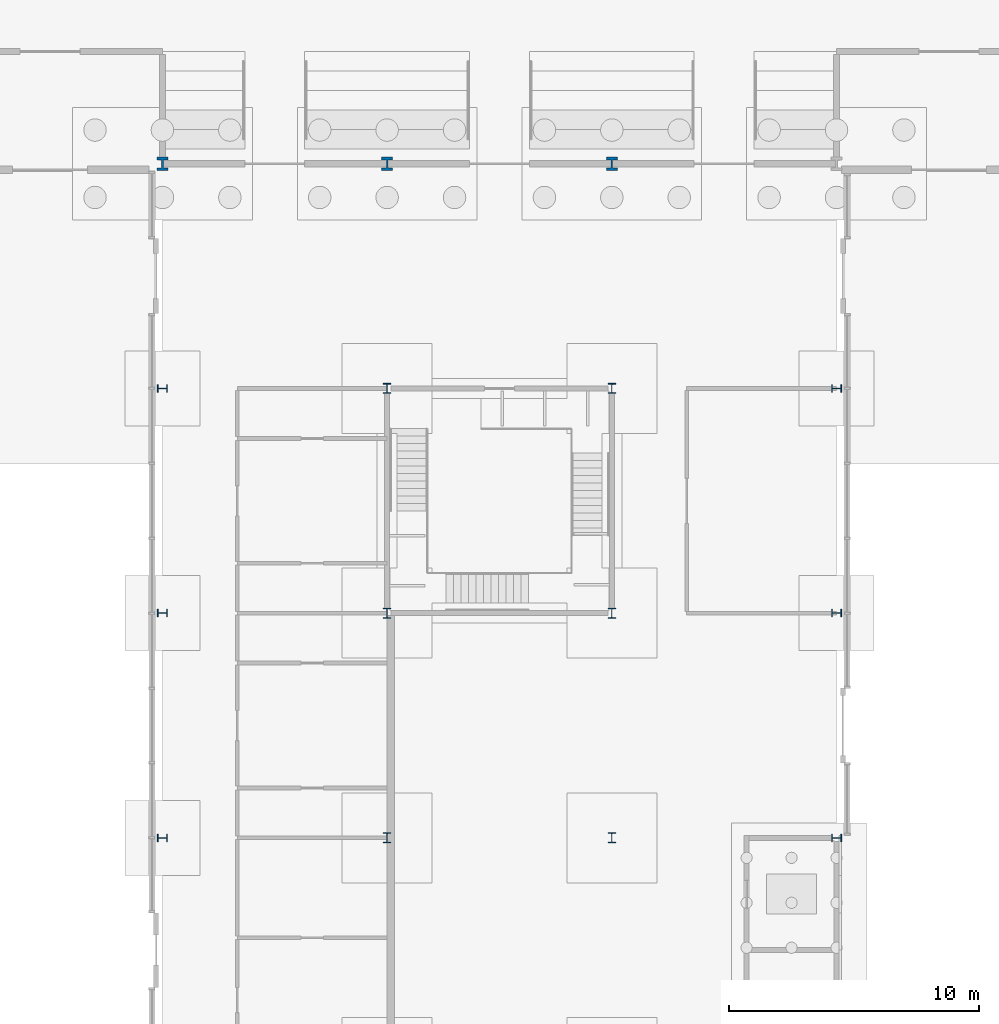
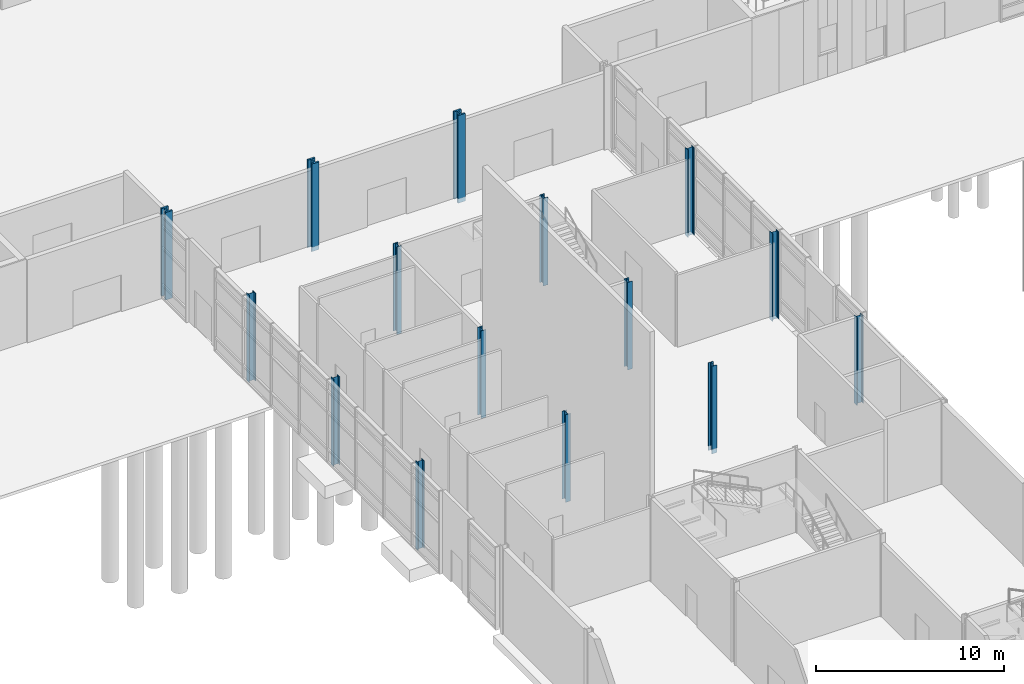
# One storey, part 7 of 45: 15 columns.
"""IFC4 building model written with IfcOpenShell, lengths in metres."""

from ifc_helpers import new_model, si_unit, direction, frame, origin, origin_2d, place, context, subcontext, project, spatial, i_section, extrude, material, material_profile, profile_set, type_object, element, save


model = new_model("IFC4")

# Units and contexts
model_context = context("Model", 3, precision=1e-05, world=origin(), true_north=direction((0.0, 1.0)))
body_context = subcontext(model_context, "Body", "Model", "MODEL_VIEW")
ifc_project = project(units=[si_unit("LENGTHUNIT", "METRE"), si_unit("AREAUNIT", "SQUARE_METRE"), si_unit("VOLUMEUNIT", "CUBIC_METRE"), si_unit("PLANEANGLEUNIT", "RADIAN"), si_unit("MASSUNIT", "GRAM", prefix="KILO")], contexts=[model_context])

# Site, building, storey
site_placement = place(None, origin())
site = spatial("IfcSite", under=ifc_project, at=site_placement, CompositionType="ELEMENT")
building_placement = place(site_placement, origin())
building = spatial("IfcBuilding", under=site, at=building_placement, Name="Azimuth Sports and Learning Centre", CompositionType="ELEMENT")
storey_placement = place(building_placement, origin())
storey = spatial("IfcBuildingStorey", under=building, at=storey_placement, Name="L00", CompositionType="ELEMENT", Elevation=0.0)

# Columns
ifc_material_1 = material(Name="Steel S460", Category="steel")
ifc_material_profile_1 = material_profile(ifc_material_1, i_section(OverallWidth=0.44189453125, OverallDepth=0.531005859375, WebThickness=0.06591796875, FlangeThickness=0.10595703125, FilletRadius=0.014892578125, at=origin_2d()), Name="HD 400x900")
ifc_profile_set_1 = profile_set([ifc_material_profile_1], Name="Steel S460")
column_type_1 = type_object("IfcColumnType", Name="Column HD 400x900", PredefinedType="COLUMN", material=ifc_profile_set_1)
for number, where, z_axis, x_axis, name in (
    (1, (72.0, 90.0, -0.300048828125), (0.0, 0.0, 1.0), (1.0, 0.0, 0.0), "Column 9L L00"),
    (2, (81.0, 90.0, -0.300048828125), (0.0, 0.0, 1.0), (1.0, 0.0, 0.0), "Column 10L L00"),
    (3, (90.0, 90.0, -0.300048828125), (0.0, 0.0, 1.0), (1.0, 0.0, 0.0), "Column 11L L00"),
):
    element("IfcColumn", number, at=place(storey_placement, frame(where, z_axis=z_axis, x_axis=x_axis)), inside=storey, type_object=column_type_1, Name=name, PredefinedType="COLUMN", context=body_context, shape_type="SweptSolid", body=[
        extrude(i_section(OverallWidth=0.44189453125, OverallDepth=0.531005859375, WebThickness=0.06591796875, FlangeThickness=0.10595703125, FilletRadius=0.014892578125, at=origin_2d()), origin(), (0.0, 0.0, 1.0), 5.699951171875),
    ])
ifc_material_2 = material(Name="Steel S355", Category="steel")
ifc_material_profile_2 = material_profile(ifc_material_2, i_section(OverallWidth=0.300048828125, OverallDepth=0.39990234375, WebThickness=0.013427734375, FlangeThickness=0.02392578125, FilletRadius=0.027099609375, at=origin_2d()), Name="HEB 400")
ifc_profile_set_2 = profile_set([ifc_material_profile_2], Name="Steel S355")
column_type_2 = type_object("IfcColumnType", Name="Column HEB 400", PredefinedType="COLUMN", material=ifc_profile_set_2)
for number, where, z_axis, x_axis, name in (
    (4, (72.0, 63.0, -0.300048828125), (0.0, 0.0, 1.0), (0.0, 1.0, 0.0), "Column 9H L00"),
    (5, (81.0, 63.0, -0.300048828125), (0.0, 0.0, 1.0), (1.0, 0.0, 0.0), "Column 10H L00"),
    (6, (90.0, 63.0, -0.300048828125), (0.0, 0.0, 1.0), (1.0, 0.0, 0.0), "Column 11H L00"),
    (7, (99.0, 63.0, -0.300048828125), (0.0, 0.0, 1.0), (0.0, 1.0, 0.0), "Column 12H L00"),
    (8, (72.0, 72.0, -0.300048828125), (0.0, 0.0, 1.0), (0.0, 1.0, 0.0), "Column 9J L00"),
    (9, (81.0, 72.0, -0.300048828125), (0.0, 0.0, 1.0), (1.0, 0.0, 0.0), "Column 10J L00"),
    (10, (90.0, 72.0, -0.300048828125), (0.0, 0.0, 1.0), (1.0, 0.0, 0.0), "Column 11J L00"),
    (11, (99.0, 72.0, -0.300048828125), (0.0, 0.0, 1.0), (0.0, 1.0, 0.0), "Column 12J L00"),
    (12, (72.0, 81.0, -0.300048828125), (0.0, 0.0, 1.0), (0.0, 1.0, 0.0), "Column 9K L00"),
    (13, (81.0, 81.0, -0.300048828125), (0.0, 0.0, 1.0), (1.0, 0.0, 0.0), "Column 10K L00"),
    (14, (90.0, 81.0, -0.300048828125), (0.0, 0.0, 1.0), (1.0, 0.0, 0.0), "Column 11K L00"),
    (15, (99.0, 81.0, -0.300048828125), (0.0, 0.0, 1.0), (0.0, 1.0, 0.0), "Column 12K L00"),
):
    element("IfcColumn", number, at=place(storey_placement, frame(where, z_axis=z_axis, x_axis=x_axis)), inside=storey, type_object=column_type_2, Name=name, PredefinedType="COLUMN", context=body_context, shape_type="SweptSolid", body=[
        extrude(i_section(OverallWidth=0.300048828125, OverallDepth=0.39990234375, WebThickness=0.013427734375, FlangeThickness=0.02392578125, FilletRadius=0.027099609375, at=origin_2d()), origin(), (0.0, 0.0, 1.0), 5.699951171875),
    ])

save(model, "model.ifc")
